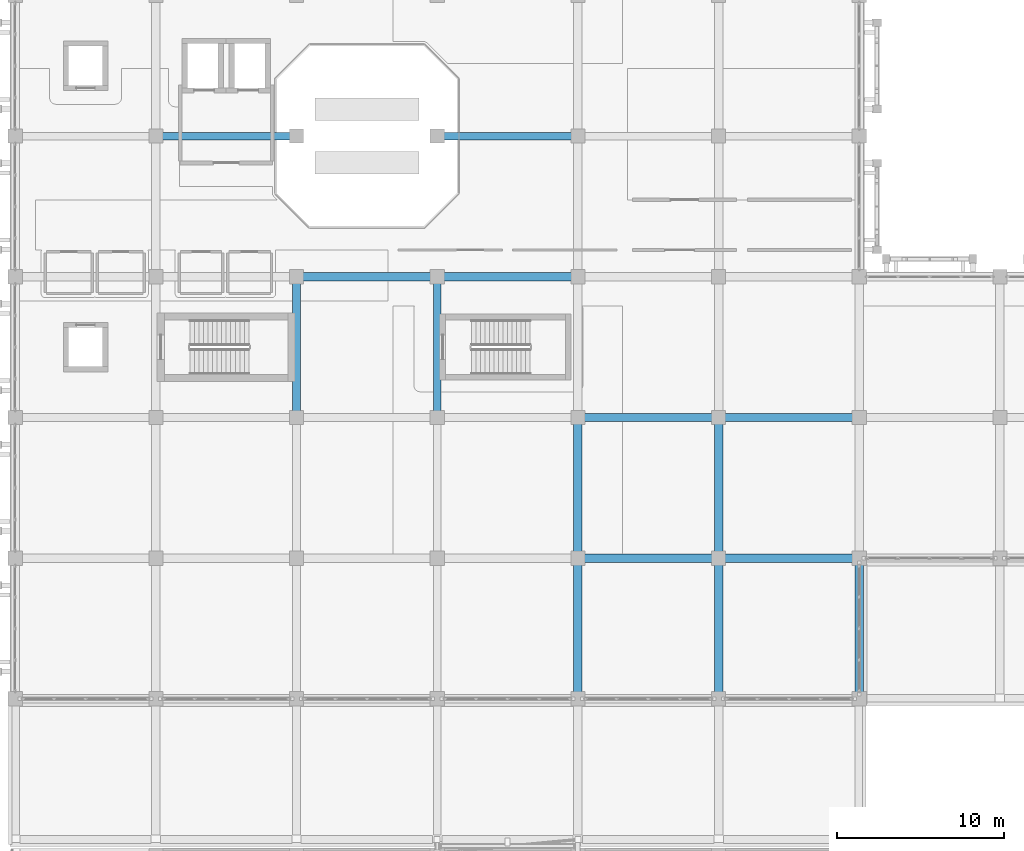
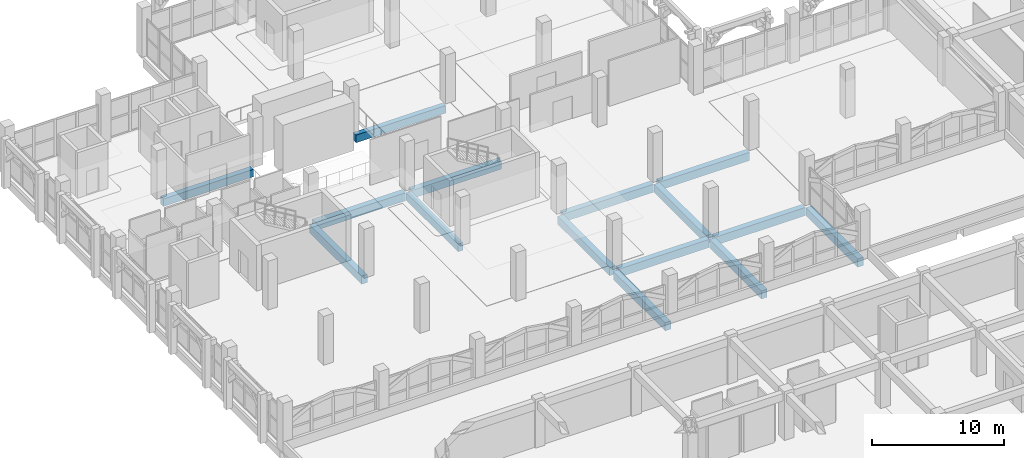
# One storey, part 47 of 129: 15 beams.
"""IFC4 building model written with IfcOpenShell, lengths in metres."""

from ifc_helpers import new_model, si_unit, direction, frame, origin, origin_2d, place, context, subcontext, project, spatial, rectangle, extrude, material, material_profile, profile_set, type_object, element, save


model = new_model("IFC4")

# Units and contexts
model_context = context("Model", 3, precision=1e-05, world=origin(), true_north=direction((0.0, 1.0)))
body_context = subcontext(model_context, "Body", "Model", "MODEL_VIEW")
ifc_project = project(units=[si_unit("LENGTHUNIT", "METRE"), si_unit("AREAUNIT", "SQUARE_METRE"), si_unit("VOLUMEUNIT", "CUBIC_METRE"), si_unit("PLANEANGLEUNIT", "RADIAN"), si_unit("MASSUNIT", "GRAM", prefix="KILO")], contexts=[model_context])

# Site, building, storey
site_placement = place(None, origin())
site = spatial("IfcSite", under=ifc_project, at=site_placement, CompositionType="ELEMENT")
building_placement = place(site_placement, origin())
building = spatial("IfcBuilding", under=site, at=building_placement, Name="Xazarin Passage Department Store", CompositionType="ELEMENT")
storey_placement = place(building_placement, frame((0.0, 0.0, 9.89990234375)))
storey = spatial("IfcBuildingStorey", under=building, at=storey_placement, Name="L02", CompositionType="ELEMENT", Elevation=9.89990234375)

# Beams
ifc_material = material(Name="Concrete C35/45", Category="concrete")
ifc_material_profile_1 = material_profile(ifc_material, rectangle(XDim=0.449951171875, YDim=0.699951171875, at=origin_2d()), Name="RC 450x700")
ifc_profile_set_1 = profile_set([ifc_material_profile_1], Name="Concrete C35/45")
beam_type_1 = type_object("IfcBeamType", Name="STR-BM-G450x700", PredefinedType="BEAM", material=ifc_profile_set_1)
for number, where, z_axis, x_axis, name in (
    (1, (8.679931640625, 93.199951171875, -0.64990234375), (1.0, 0.0, 0.0), (0.0, 1.0, 0.0), "L02 Grid Beam N/2-3"),
    (2, (25.47998046875, 93.199951171875, -0.64990234375), (1.0, 0.0, 0.0), (0.0, 1.0, 0.0), "L02 Grid Beam N/4-5"),
    (3, (25.199951171875, 76.679931640625, -0.64990234375), (0.0, 1.0, 0.0), (-1.0, 0.0, 0.0), "L02 Grid Beam 4/L-M"),
):
    element("IfcBeam", number, at=place(storey_placement, frame(where, z_axis=z_axis, x_axis=x_axis)), inside=storey, type_object=beam_type_1, Name=name, PredefinedType="BEAM", context=body_context, shape_type="SweptSolid", body=[
        extrude(rectangle(XDim=0.449951171875, YDim=0.699951171875, at=origin_2d()), origin(), (0.0, 0.0, 1.0), 7.840087890625),
    ])
ifc_material_profile_2 = material_profile(ifc_material, rectangle(XDim=0.5, YDim=0.75, at=origin_2d()), Name="RC 500x750")
ifc_profile_set_2 = profile_set([ifc_material_profile_2], Name="Concrete C35/45")
beam_type_2 = type_object("IfcBeamType", Name="STR-BM-SP500x750", PredefinedType="SPANDREL", material=ifc_profile_set_2)
for number, where, z_axis, x_axis, name in (
    (4, (33.8798828125, 68.0, -0.6748046875), (1.0, 0.0, 0.0), (0.0, 1.0, 0.0), "L02 Grid Beam K/5-6"),
    (5, (42.280029296875, 68.0, -0.6748046875), (1.0, 0.0, 0.0), (0.0, 1.0, 0.0), "L02 Grid Beam K/6-7"),
    (6, (33.8798828125, 76.39990234375, -0.6748046875), (1.0, 0.0, 0.0), (0.0, 1.0, 0.0), "L02 Grid Beam L/5-6"),
    (7, (42.280029296875, 76.39990234375, -0.6748046875), (1.0, 0.0, 0.0), (0.0, 1.0, 0.0), "L02 Grid Beam L/6-7"),
):
    element("IfcBeam", number, at=place(storey_placement, frame(where, z_axis=z_axis, x_axis=x_axis)), inside=storey, type_object=beam_type_2, Name=name, PredefinedType="SPANDREL", context=body_context, shape_type="SweptSolid", body=[
        extrude(rectangle(XDim=0.5, YDim=0.75, at=origin_2d()), origin(), (0.0, 0.0, 1.0), 7.840087890625),
    ])
beam_placement = place(storey_placement, frame((17.080078125, 84.800048828125, -0.6748046875), z_axis=(1.0, 0.0, 0.0), x_axis=(0.0, 1.0, 0.0)))
element("IfcBeam", 8, at=beam_placement, inside=storey, type_object=beam_type_2, Name="L02 Grid Beam M/3-4", PredefinedType="SPANDREL", context=body_context, shape_type="SweptSolid", body=[
    extrude(rectangle(XDim=0.5, YDim=0.75, at=origin_2d()), origin(), (0.0, 0.0, 1.0), 7.83984375),
])
for number, where, z_axis, x_axis, name in (
    (9, (25.47998046875, 84.800048828125, -0.6748046875), (1.0, 0.0, 0.0), (0.0, 1.0, 0.0), "L02 Grid Beam M/4-5"),
    (10, (16.800048828125, 76.679931640625, -0.6748046875), (0.0, 1.0, 0.0), (-1.0, 0.0, 0.0), "L02 Grid Beam 3/L-M"),
    (11, (33.60009765625, 59.8798828125, -0.6748046875), (0.0, 1.0, 0.0), (-1.0, 0.0, 0.0), "L02 Grid Beam 5/J-K"),
    (12, (33.60009765625, 68.280029296875, -0.6748046875), (0.0, 1.0, 0.0), (-1.0, 0.0, 0.0), "L02 Grid Beam 5/K-L"),
    (13, (42.0, 59.8798828125, -0.6748046875), (0.0, 1.0, 0.0), (-1.0, 0.0, 0.0), "L02 Grid Beam 6/J-K"),
    (14, (42.0, 68.280029296875, -0.6748046875), (0.0, 1.0, 0.0), (-1.0, 0.0, 0.0), "L02 Grid Beam 6/K-L"),
    (15, (50.39990234375, 59.8798828125, -0.6748046875), (0.0, 1.0, 0.0), (-1.0, 0.0, 0.0), "L02 Grid Beam 7/J-K"),
):
    element("IfcBeam", number, at=place(storey_placement, frame(where, z_axis=z_axis, x_axis=x_axis)), inside=storey, type_object=beam_type_2, Name=name, PredefinedType="SPANDREL", context=body_context, shape_type="SweptSolid", body=[
        extrude(rectangle(XDim=0.5, YDim=0.75, at=origin_2d()), origin(), (0.0, 0.0, 1.0), 7.840087890625),
    ])

save(model, "model.ifc")
